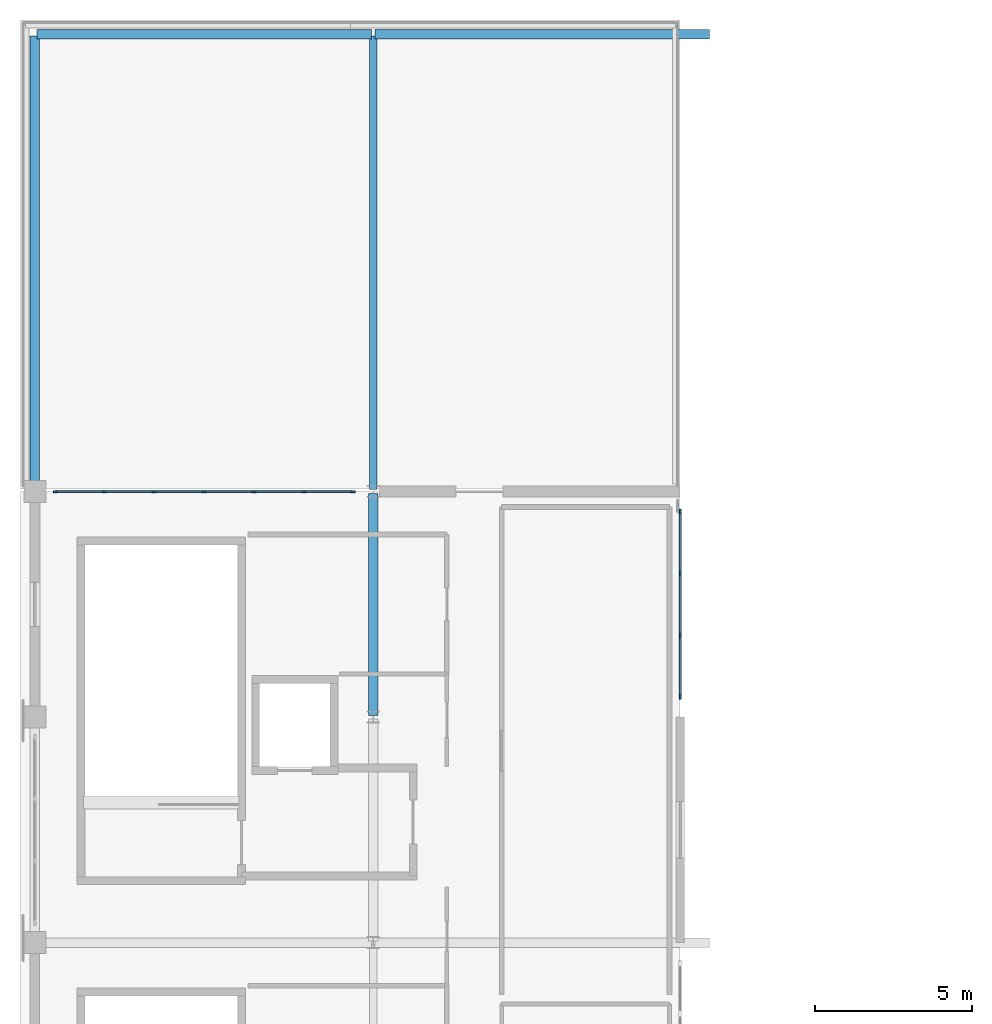
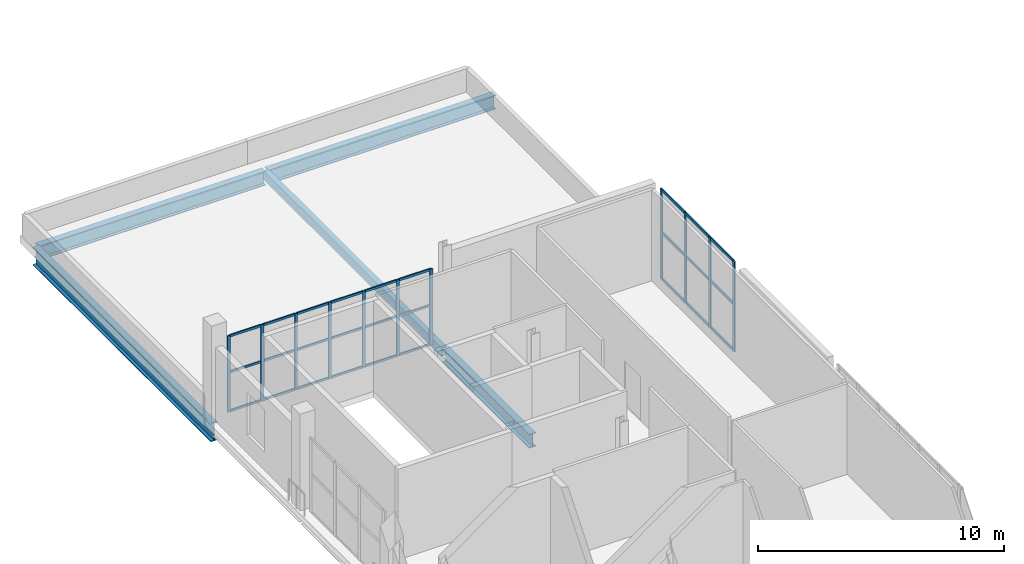
# One storey, part 7 of 19: 38 members, 5 beams, 2 elements without a shape of their own.
"""IFC4 building model written with IfcOpenShell, lengths in metres."""

from ifc_helpers import new_model, si_unit, direction, frame, origin, origin_2d, place, context, subcontext, project, spatial, rectangle, hollow_rectangle, i_section, extrude, material, material_profile, profile_set, type_object, element, aggregate, save


model = new_model("IFC4")

# Units and contexts
model_context = context("Model", 3, precision=1e-05, world=origin(), true_north=direction((0.0, 1.0)))
body_context = subcontext(model_context, "Body", "Model", "MODEL_VIEW")
ifc_project = project(units=[si_unit("LENGTHUNIT", "METRE"), si_unit("AREAUNIT", "SQUARE_METRE"), si_unit("VOLUMEUNIT", "CUBIC_METRE"), si_unit("PLANEANGLEUNIT", "RADIAN"), si_unit("MASSUNIT", "GRAM", prefix="KILO")], contexts=[model_context])

# Site, building, storey
site_placement = place(None, origin())
site = spatial("IfcSite", under=ifc_project, at=site_placement, CompositionType="ELEMENT")
building_placement = place(site_placement, origin())
building = spatial("IfcBuilding", under=site, at=building_placement, Name="Koshinbarg Plaza Stadium", CompositionType="ELEMENT")
storey_placement = place(building_placement, frame((0.0, 0.0, 29.39990234375)))
storey = spatial("IfcBuildingStorey", under=building, at=storey_placement, Name="L06", CompositionType="ELEMENT", Elevation=29.39990234375)

# Beams
ifc_material_1 = material(Name="Steel S355", Category="steel")
ifc_material_profile_1 = material_profile(ifc_material_1, i_section(OverallWidth=0.300048828125, OverallDepth=0.699951171875, WebThickness=0.01708984375, FlangeThickness=0.031982421875, at=origin_2d()), Name="HEB 700")
ifc_profile_set_1 = profile_set([ifc_material_profile_1], Name="Steel S355")
beam_type_1 = type_object("IfcBeamType", Name="BM-SGIR-03", PredefinedType="USERDEFINED", material=ifc_profile_set_1)
beam_1_placement = place(storey_placement, frame((24.659912109375, 126.5, -0.7099609375), z_axis=(1.0, 0.0, 0.0), x_axis=(0.0, 1.0, 0.0)))
element("IfcBeam", 1, at=beam_1_placement, inside=storey, type_object=beam_type_1, Name="L06 X girder R/5-6", ObjectType="GIRDER", PredefinedType="USERDEFINED", context=body_context, shape_type="SweptSolid", body=[
    extrude(i_section(OverallWidth=0.300048828125, OverallDepth=0.699951171875, WebThickness=0.01708984375, FlangeThickness=0.031982421875, at=origin_2d()), origin(), (0.0, 0.0, 1.0), 10.68017578125),
])
beam_2_placement = place(storey_placement, frame((35.4599609375, 126.5, -0.7099609375), z_axis=(1.0, 0.0, 0.0), x_axis=(0.0, 1.0, 0.0)))
element("IfcBeam", 2, at=beam_2_placement, inside=storey, type_object=beam_type_1, Name="L06 X girder R/6-7", ObjectType="GIRDER", PredefinedType="USERDEFINED", context=body_context, shape_type="SweptSolid", body=[
    extrude(i_section(OverallWidth=0.300048828125, OverallDepth=0.699951171875, WebThickness=0.01708984375, FlangeThickness=0.031982421875, at=origin_2d()), origin(), (0.0, 0.0, 1.0), 10.679931640625),
])
beam_3_placement = place(storey_placement, frame((35.39990234375, 104.760009765625, -0.64990234375), z_axis=(0.0, 1.0, 0.0), x_axis=(-1.0, 0.0, 0.0)))
element("IfcBeam", 3, at=beam_3_placement, inside=storey, type_object=beam_type_1, Name="L06 Y girder 6/P-Q", ObjectType="GIRDER", PredefinedType="USERDEFINED", context=body_context, shape_type="SweptSolid", body=[
    extrude(i_section(OverallWidth=0.300048828125, OverallDepth=0.699951171875, WebThickness=0.01708984375, FlangeThickness=0.031982421875, at=origin_2d()), origin(), (0.0, 0.0, 1.0), 7.080078125),
])
ifc_material_profile_2 = material_profile(ifc_material_1, i_section(OverallWidth=0.300048828125, OverallDepth=0.89990234375, WebThickness=0.0185546875, FlangeThickness=0.034912109375, at=origin_2d()), Name="HEB 900")
ifc_profile_set_2 = profile_set([ifc_material_profile_2], Name="Steel S355")
beam_type_2 = type_object("IfcBeamType", Name="BM-SGIR-05", PredefinedType="USERDEFINED", material=ifc_profile_set_2)
beam_4_placement = place(storey_placement, frame((24.60009765625, 111.9599609375, -0.809814453125), z_axis=(0.0, 1.0, 0.0), x_axis=(-1.0, 0.0, 0.0)))
element("IfcBeam", 4, at=beam_4_placement, inside=storey, type_object=beam_type_2, Name="L06 Y girder 5/Q-R", ObjectType="GIRDER", PredefinedType="USERDEFINED", context=body_context, shape_type="SweptSolid", body=[
    extrude(i_section(OverallWidth=0.300048828125, OverallDepth=0.89990234375, WebThickness=0.0185546875, FlangeThickness=0.034912109375, at=origin_2d()), origin(), (0.0, 0.0, 1.0), 14.47998046875),
])
ifc_material_profile_3 = material_profile(ifc_material_1, hollow_rectangle(XDim=0.25, YDim=0.449951171875, WallThickness=0.01611328125, at=origin_2d()), Name="RHS 450x250x16")
ifc_profile_set_3 = profile_set([ifc_material_profile_3], Name="Steel S355")
beam_type_3 = type_object("IfcBeamType", Name="BM-SGIR-06", PredefinedType="USERDEFINED", material=ifc_profile_set_3)
beam_5_placement = place(storey_placement, frame((35.39990234375, 111.9599609375, -0.5849609375), z_axis=(0.0, 1.0, 0.0), x_axis=(-1.0, 0.0, 0.0)))
element("IfcBeam", 5, at=beam_5_placement, inside=storey, type_object=beam_type_3, Name="L06 Y girder 6/Q-R", ObjectType="GIRDER", PredefinedType="USERDEFINED", context=body_context, shape_type="SweptSolid", body=[
    extrude(hollow_rectangle(XDim=0.25, YDim=0.449951171875, WallThickness=0.01611328125, at=origin_2d()), origin(), (0.0, 0.0, 1.0), 14.47998046875),
])

# Curtain wall, members
ifc_material_2 = material(Name="Thermally broken anodised aluminium and low-E double glazing", Category="aluminium")
curtain_wall_type_1 = type_object("IfcCurtainWallType", Name="CW-SYS-13", PredefinedType="NOTDEFINED", material=ifc_material_2)
curtain_wall_1_placement = place(storey_placement, origin())
curtain_wall_1 = element("IfcCurtainWall", 6, at=curtain_wall_1_placement, inside=storey, type_object=curtain_wall_type_1, Name="L06 unitised curtain wall CW-L06-156", PredefinedType="NOTDEFINED")
ifc_material_3 = material(Name="Anodised aluminium mullion", Category="aluminium")
ifc_material_profile_4 = material_profile(ifc_material_3, rectangle(XDim=0.06005859375, YDim=0.139892578125, at=origin_2d()), Name="ALU 60x140")
ifc_profile_set_4 = profile_set([ifc_material_profile_4], Name="Anodised aluminium mullion")
member_type_1 = type_object("IfcMemberType", Name="CW-MUL-01", PredefinedType="MULLION", material=ifc_profile_set_4)
member_1_placement = place(storey_placement, frame((25.25, 111.89990234375, 0.0), z_axis=(0.0, 0.0, 1.0), x_axis=(0.0, 1.0, 0.0)))
member_1 = element("IfcMember", 7, at=member_1_placement, type_object=member_type_1, Name="CW13 mullion 1", PredefinedType="MULLION", context=body_context, shape_type="SweptSolid", body=[
    extrude(rectangle(XDim=0.06005859375, YDim=0.139892578125, at=origin_2d()), origin(), (0.0, 0.0, 1.0), 3.780029296875),
])
member_2_placement = place(storey_placement, frame((26.813232421875, 111.89990234375, 0.0), z_axis=(0.0, 0.0, 1.0), x_axis=(0.0, 1.0, 0.0)))
member_2 = element("IfcMember", 8, at=member_2_placement, type_object=member_type_1, Name="CW13 mullion 2", PredefinedType="MULLION", context=body_context, shape_type="SweptSolid", body=[
    extrude(rectangle(XDim=0.06005859375, YDim=0.139892578125, at=origin_2d()), origin(), (0.0, 0.0, 1.0), 3.780029296875),
])
member_3_placement = place(storey_placement, frame((28.40673828125, 111.89990234375, 0.0), z_axis=(0.0, 0.0, 1.0), x_axis=(0.0, 1.0, 0.0)))
member_3 = element("IfcMember", 9, at=member_3_placement, type_object=member_type_1, Name="CW13 mullion 3", PredefinedType="MULLION", context=body_context, shape_type="SweptSolid", body=[
    extrude(rectangle(XDim=0.06005859375, YDim=0.139892578125, at=origin_2d()), origin(), (0.0, 0.0, 1.0), 3.780029296875),
])
member_4_placement = place(storey_placement, frame((30.0, 111.89990234375, 0.0), z_axis=(0.0, 0.0, 1.0), x_axis=(0.0, 1.0, 0.0)))
member_4 = element("IfcMember", 10, at=member_4_placement, type_object=member_type_1, Name="CW13 mullion 4", PredefinedType="MULLION", context=body_context, shape_type="SweptSolid", body=[
    extrude(rectangle(XDim=0.06005859375, YDim=0.139892578125, at=origin_2d()), origin(), (0.0, 0.0, 1.0), 3.780029296875),
])
member_5_placement = place(storey_placement, frame((31.59326171875, 111.89990234375, 0.0), z_axis=(0.0, 0.0, 1.0), x_axis=(0.0, 1.0, 0.0)))
member_5 = element("IfcMember", 11, at=member_5_placement, type_object=member_type_1, Name="CW13 mullion 5", PredefinedType="MULLION", context=body_context, shape_type="SweptSolid", body=[
    extrude(rectangle(XDim=0.06005859375, YDim=0.139892578125, at=origin_2d()), origin(), (0.0, 0.0, 1.0), 3.780029296875),
])
member_6_placement = place(storey_placement, frame((33.186767578125, 111.89990234375, 0.0), z_axis=(0.0, 0.0, 1.0), x_axis=(0.0, 1.0, 0.0)))
member_6 = element("IfcMember", 12, at=member_6_placement, type_object=member_type_1, Name="CW13 mullion 6", PredefinedType="MULLION", context=body_context, shape_type="SweptSolid", body=[
    extrude(rectangle(XDim=0.06005859375, YDim=0.139892578125, at=origin_2d()), origin(), (0.0, 0.0, 1.0), 3.780029296875),
])
member_7_placement = place(storey_placement, frame((34.75, 111.89990234375, 0.0), z_axis=(0.0, 0.0, 1.0), x_axis=(0.0, 1.0, 0.0)))
member_7 = element("IfcMember", 13, at=member_7_placement, type_object=member_type_1, Name="CW13 mullion 7", PredefinedType="MULLION", context=body_context, shape_type="SweptSolid", body=[
    extrude(rectangle(XDim=0.06005859375, YDim=0.139892578125, at=origin_2d()), origin(), (0.0, 0.0, 1.0), 3.780029296875),
])

curtain_wall_type_2 = type_object("IfcCurtainWallType", Name="CW-SYS-14", PredefinedType="NOTDEFINED", material=ifc_material_2)
curtain_wall_2_placement = place(storey_placement, origin())
curtain_wall_2 = element("IfcCurtainWall", 14, at=curtain_wall_2_placement, inside=storey, type_object=curtain_wall_type_2, Name="L06 unitised curtain wall CW-L06-157", PredefinedType="NOTDEFINED")
ifc_material_profile_5 = material_profile(ifc_material_3, rectangle(XDim=0.06005859375, YDim=0.159912109375, at=origin_2d()), Name="ALU 60x160")
ifc_profile_set_5 = profile_set([ifc_material_profile_5], Name="Anodised aluminium mullion")
member_type_2 = type_object("IfcMemberType", Name="CW-MUL-02", PredefinedType="MULLION", material=ifc_profile_set_5)
member_8_placement = place(storey_placement, frame((45.199951171875, 111.25, 0.0), z_axis=(0.0, 0.0, 1.0), x_axis=(1.0, 0.0, 0.0)))
member_8 = element("IfcMember", 15, at=member_8_placement, type_object=member_type_2, Name="CW14 mullion 1", PredefinedType="MULLION", context=body_context, shape_type="SweptSolid", body=[
    extrude(rectangle(XDim=0.06005859375, YDim=0.159912109375, at=origin_2d()), origin(), (0.0, 0.0, 1.0), 4.47998046875),
])
member_9_placement = place(storey_placement, frame((45.199951171875, 109.293212890625, 0.0), z_axis=(0.0, 0.0, 1.0), x_axis=(1.0, 0.0, 0.0)))
member_9 = element("IfcMember", 16, at=member_9_placement, type_object=member_type_2, Name="CW14 mullion 2", PredefinedType="MULLION", context=body_context, shape_type="SweptSolid", body=[
    extrude(rectangle(XDim=0.06005859375, YDim=0.159912109375, at=origin_2d()), origin(), (0.0, 0.0, 1.0), 4.47998046875),
])
member_10_placement = place(storey_placement, frame((45.199951171875, 107.306640625, 0.0), z_axis=(0.0, 0.0, 1.0), x_axis=(1.0, 0.0, 0.0)))
member_10 = element("IfcMember", 17, at=member_10_placement, type_object=member_type_2, Name="CW14 mullion 3", PredefinedType="MULLION", context=body_context, shape_type="SweptSolid", body=[
    extrude(rectangle(XDim=0.06005859375, YDim=0.159912109375, at=origin_2d()), origin(), (0.0, 0.0, 1.0), 4.47998046875),
])
member_11_placement = place(storey_placement, frame((45.199951171875, 105.35009765625, 0.0), z_axis=(0.0, 0.0, 1.0), x_axis=(1.0, 0.0, 0.0)))
member_11 = element("IfcMember", 18, at=member_11_placement, type_object=member_type_2, Name="CW14 mullion 4", PredefinedType="MULLION", context=body_context, shape_type="SweptSolid", body=[
    extrude(rectangle(XDim=0.06005859375, YDim=0.159912109375, at=origin_2d()), origin(), (0.0, 0.0, 1.0), 4.47998046875),
])

# Member
ifc_material_4 = material(Name="Anodised aluminium transom", Category="aluminium")
ifc_material_profile_6 = material_profile(ifc_material_4, rectangle(XDim=0.06005859375, YDim=0.110107421875, at=origin_2d()), Name="ALU 60x110")
ifc_profile_set_6 = profile_set([ifc_material_profile_6], Name="Anodised aluminium transom")
member_type_3 = type_object("IfcMemberType", Name="CW-TRN-01", PredefinedType="USERDEFINED", material=ifc_profile_set_6)
member_12_placement = place(storey_placement, frame((25.280029296875, 111.89990234375, 0.030029296875), z_axis=(1.0, 0.0, 0.0), x_axis=(0.0, 1.0, 0.0)))
member_12 = element("IfcMember", 19, at=member_12_placement, type_object=member_type_3, Name="CW13 transom 1.1", ObjectType="TRANSOM", PredefinedType="USERDEFINED", context=body_context, shape_type="SweptSolid", body=[
    extrude(rectangle(XDim=0.06005859375, YDim=0.110107421875, at=origin_2d()), origin(), (0.0, 0.0, 1.0), 1.50341796875),
])

member_13_placement = place(storey_placement, frame((25.280029296875, 111.89990234375, 1.965576171875), z_axis=(1.0, 0.0, 0.0), x_axis=(0.0, 1.0, 0.0)))
member_13 = element("IfcMember", 20, at=member_13_placement, type_object=member_type_3, Name="CW13 transom 1.2", ObjectType="TRANSOM", PredefinedType="USERDEFINED", context=body_context, shape_type="SweptSolid", body=[
    extrude(rectangle(XDim=0.06005859375, YDim=0.110107421875, at=origin_2d()), origin(), (0.0, 0.0, 1.0), 1.50341796875),
])

member_14_placement = place(storey_placement, frame((25.280029296875, 111.89990234375, 3.75), z_axis=(1.0, 0.0, 0.0), x_axis=(0.0, 1.0, 0.0)))
member_14 = element("IfcMember", 21, at=member_14_placement, type_object=member_type_3, Name="CW13 transom 1.3", ObjectType="TRANSOM", PredefinedType="USERDEFINED", context=body_context, shape_type="SweptSolid", body=[
    extrude(rectangle(XDim=0.06005859375, YDim=0.110107421875, at=origin_2d()), origin(), (0.0, 0.0, 1.0), 1.50341796875),
])

member_15_placement = place(storey_placement, frame((26.84326171875, 111.89990234375, 0.030029296875), z_axis=(1.0, 0.0, 0.0), x_axis=(0.0, 1.0, 0.0)))
member_15 = element("IfcMember", 22, at=member_15_placement, type_object=member_type_3, Name="CW13 transom 2.1", ObjectType="TRANSOM", PredefinedType="USERDEFINED", context=body_context, shape_type="SweptSolid", body=[
    extrude(rectangle(XDim=0.06005859375, YDim=0.110107421875, at=origin_2d()), origin(), (0.0, 0.0, 1.0), 1.533447265625),
])

member_16_placement = place(storey_placement, frame((26.84326171875, 111.89990234375, 1.965576171875), z_axis=(1.0, 0.0, 0.0), x_axis=(0.0, 1.0, 0.0)))
member_16 = element("IfcMember", 23, at=member_16_placement, type_object=member_type_3, Name="CW13 transom 2.2", ObjectType="TRANSOM", PredefinedType="USERDEFINED", context=body_context, shape_type="SweptSolid", body=[
    extrude(rectangle(XDim=0.06005859375, YDim=0.110107421875, at=origin_2d()), origin(), (0.0, 0.0, 1.0), 1.533447265625),
])

member_17_placement = place(storey_placement, frame((26.84326171875, 111.89990234375, 3.75), z_axis=(1.0, 0.0, 0.0), x_axis=(0.0, 1.0, 0.0)))
member_17 = element("IfcMember", 24, at=member_17_placement, type_object=member_type_3, Name="CW13 transom 2.3", ObjectType="TRANSOM", PredefinedType="USERDEFINED", context=body_context, shape_type="SweptSolid", body=[
    extrude(rectangle(XDim=0.06005859375, YDim=0.110107421875, at=origin_2d()), origin(), (0.0, 0.0, 1.0), 1.533447265625),
])

member_18_placement = place(storey_placement, frame((28.436767578125, 111.89990234375, 0.030029296875), z_axis=(1.0, 0.0, 0.0), x_axis=(0.0, 1.0, 0.0)))
member_18 = element("IfcMember", 25, at=member_18_placement, type_object=member_type_3, Name="CW13 transom 3.1", ObjectType="TRANSOM", PredefinedType="USERDEFINED", context=body_context, shape_type="SweptSolid", body=[
    extrude(rectangle(XDim=0.06005859375, YDim=0.110107421875, at=origin_2d()), origin(), (0.0, 0.0, 1.0), 1.533203125),
])

member_19_placement = place(storey_placement, frame((28.436767578125, 111.89990234375, 1.965576171875), z_axis=(1.0, 0.0, 0.0), x_axis=(0.0, 1.0, 0.0)))
member_19 = element("IfcMember", 26, at=member_19_placement, type_object=member_type_3, Name="CW13 transom 3.2", ObjectType="TRANSOM", PredefinedType="USERDEFINED", context=body_context, shape_type="SweptSolid", body=[
    extrude(rectangle(XDim=0.06005859375, YDim=0.110107421875, at=origin_2d()), origin(), (0.0, 0.0, 1.0), 1.533203125),
])

member_20_placement = place(storey_placement, frame((28.436767578125, 111.89990234375, 3.75), z_axis=(1.0, 0.0, 0.0), x_axis=(0.0, 1.0, 0.0)))
member_20 = element("IfcMember", 27, at=member_20_placement, type_object=member_type_3, Name="CW13 transom 3.3", ObjectType="TRANSOM", PredefinedType="USERDEFINED", context=body_context, shape_type="SweptSolid", body=[
    extrude(rectangle(XDim=0.06005859375, YDim=0.110107421875, at=origin_2d()), origin(), (0.0, 0.0, 1.0), 1.533203125),
])

member_21_placement = place(storey_placement, frame((30.030029296875, 111.89990234375, 0.030029296875), z_axis=(1.0, 0.0, 0.0), x_axis=(0.0, 1.0, 0.0)))
member_21 = element("IfcMember", 28, at=member_21_placement, type_object=member_type_3, Name="CW13 transom 4.1", ObjectType="TRANSOM", PredefinedType="USERDEFINED", context=body_context, shape_type="SweptSolid", body=[
    extrude(rectangle(XDim=0.06005859375, YDim=0.110107421875, at=origin_2d()), origin(), (0.0, 0.0, 1.0), 1.533203125),
])

member_22_placement = place(storey_placement, frame((30.030029296875, 111.89990234375, 1.965576171875), z_axis=(1.0, 0.0, 0.0), x_axis=(0.0, 1.0, 0.0)))
member_22 = element("IfcMember", 29, at=member_22_placement, type_object=member_type_3, Name="CW13 transom 4.2", ObjectType="TRANSOM", PredefinedType="USERDEFINED", context=body_context, shape_type="SweptSolid", body=[
    extrude(rectangle(XDim=0.06005859375, YDim=0.110107421875, at=origin_2d()), origin(), (0.0, 0.0, 1.0), 1.533203125),
])

member_23_placement = place(storey_placement, frame((30.030029296875, 111.89990234375, 3.75), z_axis=(1.0, 0.0, 0.0), x_axis=(0.0, 1.0, 0.0)))
member_23 = element("IfcMember", 30, at=member_23_placement, type_object=member_type_3, Name="CW13 transom 4.3", ObjectType="TRANSOM", PredefinedType="USERDEFINED", context=body_context, shape_type="SweptSolid", body=[
    extrude(rectangle(XDim=0.06005859375, YDim=0.110107421875, at=origin_2d()), origin(), (0.0, 0.0, 1.0), 1.533203125),
])

member_24_placement = place(storey_placement, frame((31.623291015625, 111.89990234375, 0.030029296875), z_axis=(1.0, 0.0, 0.0), x_axis=(0.0, 1.0, 0.0)))
member_24 = element("IfcMember", 31, at=member_24_placement, type_object=member_type_3, Name="CW13 transom 5.1", ObjectType="TRANSOM", PredefinedType="USERDEFINED", context=body_context, shape_type="SweptSolid", body=[
    extrude(rectangle(XDim=0.06005859375, YDim=0.110107421875, at=origin_2d()), origin(), (0.0, 0.0, 1.0), 1.533447265625),
])

member_25_placement = place(storey_placement, frame((31.623291015625, 111.89990234375, 1.965576171875), z_axis=(1.0, 0.0, 0.0), x_axis=(0.0, 1.0, 0.0)))
member_25 = element("IfcMember", 32, at=member_25_placement, type_object=member_type_3, Name="CW13 transom 5.2", ObjectType="TRANSOM", PredefinedType="USERDEFINED", context=body_context, shape_type="SweptSolid", body=[
    extrude(rectangle(XDim=0.06005859375, YDim=0.110107421875, at=origin_2d()), origin(), (0.0, 0.0, 1.0), 1.533447265625),
])

member_26_placement = place(storey_placement, frame((31.623291015625, 111.89990234375, 3.75), z_axis=(1.0, 0.0, 0.0), x_axis=(0.0, 1.0, 0.0)))
member_26 = element("IfcMember", 33, at=member_26_placement, type_object=member_type_3, Name="CW13 transom 5.3", ObjectType="TRANSOM", PredefinedType="USERDEFINED", context=body_context, shape_type="SweptSolid", body=[
    extrude(rectangle(XDim=0.06005859375, YDim=0.110107421875, at=origin_2d()), origin(), (0.0, 0.0, 1.0), 1.533447265625),
])

member_27_placement = place(storey_placement, frame((33.216552734375, 111.89990234375, 0.030029296875), z_axis=(1.0, 0.0, 0.0), x_axis=(0.0, 1.0, 0.0)))
member_27 = element("IfcMember", 34, at=member_27_placement, type_object=member_type_3, Name="CW13 transom 6.1", ObjectType="TRANSOM", PredefinedType="USERDEFINED", context=body_context, shape_type="SweptSolid", body=[
    extrude(rectangle(XDim=0.06005859375, YDim=0.110107421875, at=origin_2d()), origin(), (0.0, 0.0, 1.0), 1.50341796875),
])

member_28_placement = place(storey_placement, frame((33.216552734375, 111.89990234375, 1.965576171875), z_axis=(1.0, 0.0, 0.0), x_axis=(0.0, 1.0, 0.0)))
member_28 = element("IfcMember", 35, at=member_28_placement, type_object=member_type_3, Name="CW13 transom 6.2", ObjectType="TRANSOM", PredefinedType="USERDEFINED", context=body_context, shape_type="SweptSolid", body=[
    extrude(rectangle(XDim=0.06005859375, YDim=0.110107421875, at=origin_2d()), origin(), (0.0, 0.0, 1.0), 1.50341796875),
])

member_29_placement = place(storey_placement, frame((33.216552734375, 111.89990234375, 3.75), z_axis=(1.0, 0.0, 0.0), x_axis=(0.0, 1.0, 0.0)))
member_29 = element("IfcMember", 36, at=member_29_placement, type_object=member_type_3, Name="CW13 transom 6.3", ObjectType="TRANSOM", PredefinedType="USERDEFINED", context=body_context, shape_type="SweptSolid", body=[
    extrude(rectangle(XDim=0.06005859375, YDim=0.110107421875, at=origin_2d()), origin(), (0.0, 0.0, 1.0), 1.50341796875),
])

aggregate(curtain_wall_1, [member_1, member_2, member_3, member_4, member_5, member_6, member_7, member_12, member_13, member_14, member_15, member_16, member_17, member_18, member_19, member_20, member_21, member_22, member_23, member_24, member_25, member_26, member_27, member_28, member_29])

ifc_material_profile_7 = material_profile(ifc_material_4, rectangle(XDim=0.06005859375, YDim=0.1298828125, at=origin_2d()), Name="ALU 60x130")
ifc_profile_set_7 = profile_set([ifc_material_profile_7], Name="Anodised aluminium transom")
member_type_4 = type_object("IfcMemberType", Name="CW-TRN-02", PredefinedType="USERDEFINED", material=ifc_profile_set_7)
member_30_placement = place(storey_placement, frame((45.199951171875, 111.219970703125, 0.030029296875), z_axis=(0.0, -1.0, 0.0), x_axis=(1.0, 0.0, 0.0)))
member_30 = element("IfcMember", 37, at=member_30_placement, type_object=member_type_4, Name="CW14 transom 1.1", ObjectType="TRANSOM", PredefinedType="USERDEFINED", context=body_context, shape_type="SweptSolid", body=[
    extrude(rectangle(XDim=0.06005859375, YDim=0.1298828125, at=origin_2d()), origin(), (0.0, 0.0, 1.0), 1.896728515625),
])

member_31_placement = place(storey_placement, frame((45.199951171875, 111.219970703125, 2.32958984375), z_axis=(0.0, -1.0, 0.0), x_axis=(1.0, 0.0, 0.0)))
member_31 = element("IfcMember", 38, at=member_31_placement, type_object=member_type_4, Name="CW14 transom 1.2", ObjectType="TRANSOM", PredefinedType="USERDEFINED", context=body_context, shape_type="SweptSolid", body=[
    extrude(rectangle(XDim=0.06005859375, YDim=0.1298828125, at=origin_2d()), origin(), (0.0, 0.0, 1.0), 1.896728515625),
])

member_32_placement = place(storey_placement, frame((45.199951171875, 111.219970703125, 4.4501953125), z_axis=(0.0, -1.0, 0.0), x_axis=(1.0, 0.0, 0.0)))
member_32 = element("IfcMember", 39, at=member_32_placement, type_object=member_type_4, Name="CW14 transom 1.3", ObjectType="TRANSOM", PredefinedType="USERDEFINED", context=body_context, shape_type="SweptSolid", body=[
    extrude(rectangle(XDim=0.06005859375, YDim=0.1298828125, at=origin_2d()), origin(), (0.0, 0.0, 1.0), 1.896728515625),
])

member_33_placement = place(storey_placement, frame((45.199951171875, 109.263427734375, 0.030029296875), z_axis=(0.0, -1.0, 0.0), x_axis=(1.0, 0.0, 0.0)))
member_33 = element("IfcMember", 40, at=member_33_placement, type_object=member_type_4, Name="CW14 transom 2.1", ObjectType="TRANSOM", PredefinedType="USERDEFINED", context=body_context, shape_type="SweptSolid", body=[
    extrude(rectangle(XDim=0.06005859375, YDim=0.1298828125, at=origin_2d()), origin(), (0.0, 0.0, 1.0), 1.9267578125),
])

member_34_placement = place(storey_placement, frame((45.199951171875, 109.263427734375, 2.32958984375), z_axis=(0.0, -1.0, 0.0), x_axis=(1.0, 0.0, 0.0)))
member_34 = element("IfcMember", 41, at=member_34_placement, type_object=member_type_4, Name="CW14 transom 2.2", ObjectType="TRANSOM", PredefinedType="USERDEFINED", context=body_context, shape_type="SweptSolid", body=[
    extrude(rectangle(XDim=0.06005859375, YDim=0.1298828125, at=origin_2d()), origin(), (0.0, 0.0, 1.0), 1.9267578125),
])

member_35_placement = place(storey_placement, frame((45.199951171875, 109.263427734375, 4.4501953125), z_axis=(0.0, -1.0, 0.0), x_axis=(1.0, 0.0, 0.0)))
member_35 = element("IfcMember", 42, at=member_35_placement, type_object=member_type_4, Name="CW14 transom 2.3", ObjectType="TRANSOM", PredefinedType="USERDEFINED", context=body_context, shape_type="SweptSolid", body=[
    extrude(rectangle(XDim=0.06005859375, YDim=0.1298828125, at=origin_2d()), origin(), (0.0, 0.0, 1.0), 1.9267578125),
])

member_36_placement = place(storey_placement, frame((45.199951171875, 107.276611328125, 0.030029296875), z_axis=(0.0, -1.0, 0.0), x_axis=(1.0, 0.0, 0.0)))
member_36 = element("IfcMember", 43, at=member_36_placement, type_object=member_type_4, Name="CW14 transom 3.1", ObjectType="TRANSOM", PredefinedType="USERDEFINED", context=body_context, shape_type="SweptSolid", body=[
    extrude(rectangle(XDim=0.06005859375, YDim=0.1298828125, at=origin_2d()), origin(), (0.0, 0.0, 1.0), 1.896728515625),
])

member_37_placement = place(storey_placement, frame((45.199951171875, 107.276611328125, 2.32958984375), z_axis=(0.0, -1.0, 0.0), x_axis=(1.0, 0.0, 0.0)))
member_37 = element("IfcMember", 44, at=member_37_placement, type_object=member_type_4, Name="CW14 transom 3.2", ObjectType="TRANSOM", PredefinedType="USERDEFINED", context=body_context, shape_type="SweptSolid", body=[
    extrude(rectangle(XDim=0.06005859375, YDim=0.1298828125, at=origin_2d()), origin(), (0.0, 0.0, 1.0), 1.896728515625),
])

member_38_placement = place(storey_placement, frame((45.199951171875, 107.276611328125, 4.4501953125), z_axis=(0.0, -1.0, 0.0), x_axis=(1.0, 0.0, 0.0)))
member_38 = element("IfcMember", 45, at=member_38_placement, type_object=member_type_4, Name="CW14 transom 3.3", ObjectType="TRANSOM", PredefinedType="USERDEFINED", context=body_context, shape_type="SweptSolid", body=[
    extrude(rectangle(XDim=0.06005859375, YDim=0.1298828125, at=origin_2d()), origin(), (0.0, 0.0, 1.0), 1.896728515625),
])

aggregate(curtain_wall_2, [member_8, member_9, member_10, member_11, member_30, member_31, member_32, member_33, member_34, member_35, member_36, member_37, member_38])

save(model, "model.ifc")
